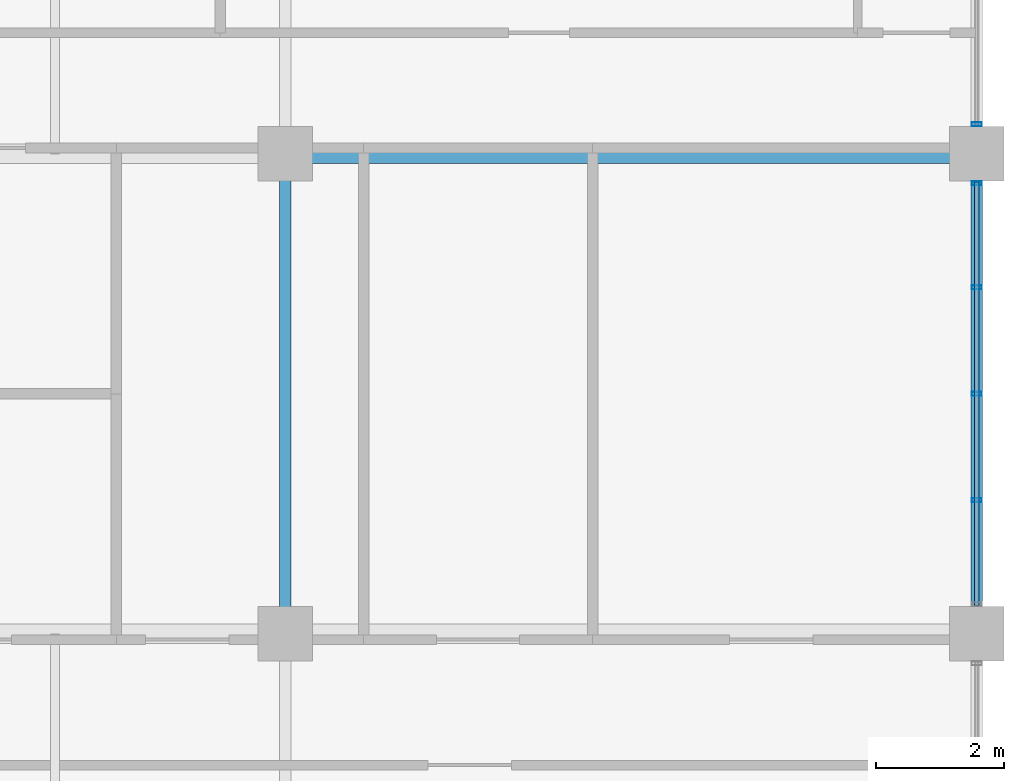
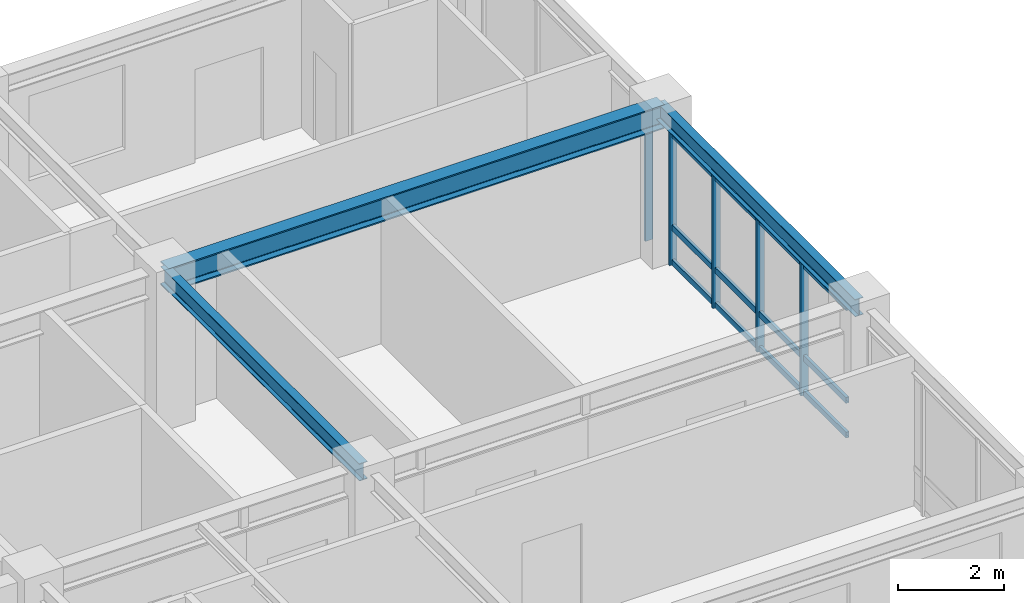
# One storey, part 3 of 11: 8 members, 3 beams, 2 elements without a shape of their own.
"""IFC4 building model written with IfcOpenShell, lengths in metres."""

from ifc_helpers import new_model, si_unit, direction, frame, origin, origin_2d, place, context, subcontext, project, spatial, hollow_rectangle, i_section, extrude, source, transform, mapped, material, layer, layer_set, material_profile, profile_set, type_object, element, aggregate, save


model = new_model("IFC4")

# Units and contexts
model_context = context("Model", 3, precision=1e-05, world=origin(), true_north=direction((0.0, 1.0)))
body_context = subcontext(model_context, "Body", "Model", "MODEL_VIEW")
ifc_project = project(units=[si_unit("LENGTHUNIT", "METRE"), si_unit("AREAUNIT", "SQUARE_METRE"), si_unit("VOLUMEUNIT", "CUBIC_METRE"), si_unit("PLANEANGLEUNIT", "RADIAN"), si_unit("MASSUNIT", "GRAM", prefix="KILO")], contexts=[model_context])

# Site, building, storey
site_placement = place(None, origin())
site = spatial("IfcSite", under=ifc_project, at=site_placement, CompositionType="ELEMENT")
building_placement = place(site_placement, origin())
building = spatial("IfcBuilding", under=site, at=building_placement, Name="Kaliganga Portal Commons", CompositionType="ELEMENT")
storey_placement = place(building_placement, frame((0.0, 0.0, 253.60009765625)))
storey = spatial("IfcBuildingStorey", under=building, at=storey_placement, Name="L65", CompositionType="ELEMENT", Elevation=253.60009765625)

# Beams
ifc_material_1 = material(Name="Structural steel S355J2", Category="steel")
ifc_material_profile_1 = material_profile(ifc_material_1, i_section(OverallWidth=0.300048828125, OverallDepth=0.550048828125, WebThickness=0.014892578125, FlangeThickness=0.029052734375, FilletRadius=0.027099609375, at=origin_2d()), Name="HE 550 B")
ifc_profile_set_1 = profile_set([ifc_material_profile_1], Name="Structural steel S355J2 wide-flange")
beam_type_1 = type_object("IfcBeamType", Name="BM-GIRD-550", PredefinedType="USERDEFINED", material=ifc_profile_set_1)
shared_shape_1 = source(origin(), body_context, "Body", "SweptSolid", [
    extrude(i_section(OverallWidth=0.300048828125, OverallDepth=0.550048828125, WebThickness=0.014892578125, FlangeThickness=0.029052734375, FilletRadius=0.027099609375, at=origin_2d()), origin(), (0.0, 0.0, 1.0), 10.800048828125),
])
beam_placement = place(storey_placement, frame((36.0, 36.14990234375, 3.199951171875), z_axis=(1.0, 0.0, 0.0), x_axis=(0.0, 1.0, 0.0)))
element("IfcBeam", 1, at=beam_placement, inside=storey, type_object=beam_type_1, Name="BM G L65 WAE_N 2", ObjectType="GIRDER", PredefinedType="USERDEFINED", context=body_context, shape_type="MappedRepresentation", body=[
    mapped(shared_shape_1, transform((0.0, 0.0, 0.0), x_axis=(1.0, 0.0, 0.0), y_axis=(0.0, 1.0, 0.0), z_axis=(0.0, 0.0, 1.0), scale=1.0)),
])
ifc_material_profile_2 = material_profile(ifc_material_1, i_section(OverallWidth=0.179931640625, OverallDepth=0.39990234375, WebThickness=0.008544921875, FlangeThickness=0.013427734375, FilletRadius=0.02099609375, at=origin_2d()), Name="IPE 400")
ifc_profile_set_2 = profile_set([ifc_material_profile_2], Name="Structural steel S355J2 wide-flange")
beam_type_2 = type_object("IfcBeamType", Name="BM-FLR-400", PredefinedType="BEAM", material=ifc_profile_set_2)
shared_shape_2 = source(origin(), body_context, "Body", "SweptSolid", [
    extrude(i_section(OverallWidth=0.179931640625, OverallDepth=0.39990234375, WebThickness=0.008544921875, FlangeThickness=0.013427734375, FilletRadius=0.02099609375, at=origin_2d()), origin(), (0.0, 0.0, 1.0), 7.5),
])
for number, where, z_axis, x_axis, name in (
    (2, (36.0, 28.64990234375, 3.27490234375), (0.0, 1.0, 0.0), (-1.0, 0.0, 0.0), "BM G L65 AM360"),
    (3, (46.800048828125, 28.64990234375, 3.27490234375), (0.0, 1.0, 0.0), (-1.0, 0.0, 0.0), "BM G L65 AM468"),
):
    element("IfcBeam", number, at=place(storey_placement, frame(where, z_axis=z_axis, x_axis=x_axis)), inside=storey, type_object=beam_type_2, Name=name, PredefinedType="BEAM", context=body_context, shape_type="MappedRepresentation", body=[
        mapped(shared_shape_2, transform((0.0, 0.0, 0.0), x_axis=(1.0, 0.0, 0.0), y_axis=(0.0, 1.0, 0.0), z_axis=(0.0, 0.0, 1.0), scale=1.0)),
    ])

# Curtain wall, members
ifc_material_2 = material(Name="Anodized Aluminium and Laminated Low-E Glass", Category="aluminium")
ifc_layer = layer(ifc_material_2, 0.18994140625)
ifc_layer_set = layer_set([ifc_layer], Name="Anodized Aluminium and Laminated Low-E Glass")
curtain_wall_type = type_object("IfcCurtainWallType", Name="CW-SYS-05", PredefinedType="NOTDEFINED", material=ifc_layer_set)
curtain_wall_1_placement = place(storey_placement, origin())
curtain_wall_1 = element("IfcCurtainWall", 4, at=curtain_wall_1_placement, inside=storey, type_object=curtain_wall_type, Name="CW 05 L65 P1E01S2", PredefinedType="NOTDEFINED")
ifc_material_3 = material(Name="Dark Bronze Anodized Aluminium", Category="aluminium")
ifc_material_profile_3 = material_profile(ifc_material_3, hollow_rectangle(XDim=0.06005859375, YDim=0.159912109375, WallThickness=0.00341796875, at=origin_2d()), Name="ALU MULL 60x160x3.5")
ifc_profile_set_3 = profile_set([ifc_material_profile_3], Name="Dark Bronze Anodized Aluminium")
member_type_1 = type_object("IfcMemberType", Name="CW-MUL-160", PredefinedType="MULLION", material=ifc_profile_set_3)
shared_shape_3 = source(origin(), body_context, "Body", "SweptSolid", [
    extrude(hollow_rectangle(XDim=0.06005859375, YDim=0.159912109375, WallThickness=0.00341796875, at=origin_2d()), origin(), (0.0, 0.0, 1.0), 3.074951171875),
])
member_1_placement = place(storey_placement, frame((46.800048828125, 30.738037109375, 0.0), z_axis=(0.0, 0.0, 1.0), x_axis=(0.0, 1.0, 0.0)))
member_1 = element("IfcMember", 5, at=member_1_placement, type_object=member_type_1, Name="CW:05:L65:P1E01S2 Mullion 01", PredefinedType="MULLION", context=body_context, shape_type="MappedRepresentation", body=[
    mapped(shared_shape_3, transform((0.0, 0.0, 0.0), x_axis=(1.0, 0.0, 0.0), y_axis=(0.0, 1.0, 0.0), z_axis=(0.0, 0.0, 1.0), scale=1.0)),
])
member_2_placement = place(storey_placement, frame((46.800048828125, 32.39990234375, 0.0), z_axis=(0.0, 0.0, 1.0), x_axis=(0.0, 1.0, 0.0)))
member_2 = element("IfcMember", 6, at=member_2_placement, type_object=member_type_1, Name="CW:05:L65:P1E01S2 Mullion 02", PredefinedType="MULLION", context=body_context, shape_type="MappedRepresentation", body=[
    mapped(shared_shape_3, transform((0.0, 0.0, 0.0), x_axis=(1.0, 0.0, 0.0), y_axis=(0.0, 1.0, 0.0), z_axis=(0.0, 0.0, 1.0), scale=1.0)),
])
member_3_placement = place(storey_placement, frame((46.800048828125, 34.06201171875, 0.0), z_axis=(0.0, 0.0, 1.0), x_axis=(0.0, 1.0, 0.0)))
member_3 = element("IfcMember", 7, at=member_3_placement, type_object=member_type_1, Name="CW:05:L65:P1E01S2 Mullion 03", PredefinedType="MULLION", context=body_context, shape_type="MappedRepresentation", body=[
    mapped(shared_shape_3, transform((0.0, 0.0, 0.0), x_axis=(1.0, 0.0, 0.0), y_axis=(0.0, 1.0, 0.0), z_axis=(0.0, 0.0, 1.0), scale=1.0)),
])
member_4_placement = place(storey_placement, frame((46.800048828125, 35.68896484375, 0.0), z_axis=(0.0, 0.0, 1.0), x_axis=(0.0, 1.0, 0.0)))
member_4 = element("IfcMember", 8, at=member_4_placement, type_object=member_type_1, Name="CW:05:L65:P1E01S2 Mullion 04", PredefinedType="MULLION", context=body_context, shape_type="MappedRepresentation", body=[
    mapped(shared_shape_3, transform((0.0, 0.0, 0.0), x_axis=(1.0, 0.0, 0.0), y_axis=(0.0, 1.0, 0.0), z_axis=(0.0, 0.0, 1.0), scale=1.0)),
])

# Curtain wall, member
curtain_wall_2_placement = place(storey_placement, origin())
curtain_wall_2 = element("IfcCurtainWall", 9, at=curtain_wall_2_placement, inside=storey, type_object=curtain_wall_type, Name="CW 05 L65 P1E01S3", PredefinedType="NOTDEFINED")
member_5_placement = place(storey_placement, frame((46.800048828125, 36.611083984375, 0.0), z_axis=(0.0, 0.0, 1.0), x_axis=(0.0, 1.0, 0.0)))
member_5 = element("IfcMember", 10, at=member_5_placement, type_object=member_type_1, Name="CW:05:L65:P1E01S3 Mullion 00", PredefinedType="MULLION", context=body_context, shape_type="MappedRepresentation", body=[
    mapped(shared_shape_3, transform((0.0, 0.0, 0.0), x_axis=(1.0, 0.0, 0.0), y_axis=(0.0, 1.0, 0.0), z_axis=(0.0, 0.0, 1.0), scale=1.0)),
])
aggregate(curtain_wall_2, [member_5])

# Member
ifc_material_profile_4 = material_profile(ifc_material_3, hollow_rectangle(XDim=0.06494140625, YDim=0.135009765625, WallThickness=0.00341796875, at=origin_2d()), Name="ALU TRAN 65x135x3.5")
ifc_profile_set_4 = profile_set([ifc_material_profile_4], Name="Dark Bronze Anodized Aluminium")
member_type_2 = type_object("IfcMemberType", Name="CW-TRN-135", PredefinedType="USERDEFINED", material=ifc_profile_set_4)
shared_shape_4 = source(origin(), body_context, "Body", "SweptSolid", [
    extrude(hollow_rectangle(XDim=0.06494140625, YDim=0.135009765625, WallThickness=0.00341796875, at=origin_2d()), origin(), (0.0, 0.0, 1.0), 6.608154296875),
])
member_6_placement = place(storey_placement, frame((46.800048828125, 29.095947265625, 0.059814453125), z_axis=(0.0, 1.0, 0.0), x_axis=(-1.0, 0.0, 0.0)))
member_6 = element("IfcMember", 11, at=member_6_placement, type_object=member_type_2, Name="CW:05:L65:P1E01S2 Transom 1", ObjectType="TRANSOM", PredefinedType="USERDEFINED", context=body_context, shape_type="MappedRepresentation", body=[
    mapped(shared_shape_4, transform((0.0, 0.0, 0.0), x_axis=(1.0, 0.0, 0.0), y_axis=(0.0, 1.0, 0.0), z_axis=(0.0, 0.0, 1.0), scale=1.0)),
])

member_7_placement = place(storey_placement, frame((46.800048828125, 29.095947265625, 0.86083984375), z_axis=(0.0, 1.0, 0.0), x_axis=(-1.0, 0.0, 0.0)))
member_7 = element("IfcMember", 12, at=member_7_placement, type_object=member_type_2, Name="CW:05:L65:P1E01S2 Transom 2", ObjectType="TRANSOM", PredefinedType="USERDEFINED", context=body_context, shape_type="MappedRepresentation", body=[
    mapped(shared_shape_4, transform((0.0, 0.0, 0.0), x_axis=(1.0, 0.0, 0.0), y_axis=(0.0, 1.0, 0.0), z_axis=(0.0, 0.0, 1.0), scale=1.0)),
])

member_8_placement = place(storey_placement, frame((46.800048828125, 29.095947265625, 2.994873046875), z_axis=(0.0, 1.0, 0.0), x_axis=(-1.0, 0.0, 0.0)))
member_8 = element("IfcMember", 13, at=member_8_placement, type_object=member_type_2, Name="CW:05:L65:P1E01S2 Transom 3", ObjectType="TRANSOM", PredefinedType="USERDEFINED", context=body_context, shape_type="MappedRepresentation", body=[
    mapped(shared_shape_4, transform((0.0, 0.0, 0.0), x_axis=(1.0, 0.0, 0.0), y_axis=(0.0, 1.0, 0.0), z_axis=(0.0, 0.0, 1.0), scale=1.0)),
])

aggregate(curtain_wall_1, [member_1, member_2, member_3, member_4, member_6, member_7, member_8])

save(model, "model.ifc")
